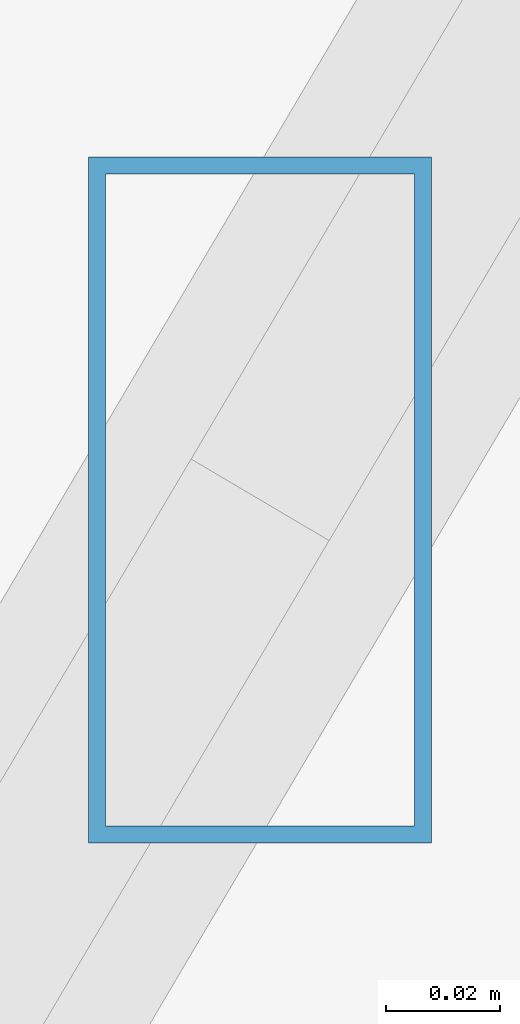
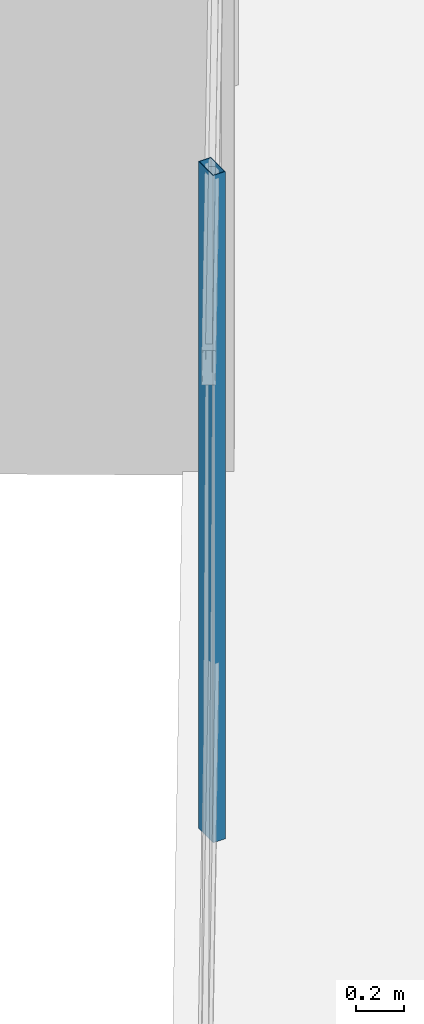
# One storey, part 7 of 45: 1 member, 1 element without a shape of its own.
"""IFC4 building model written with IfcOpenShell, lengths in metres."""

from ifc_helpers import new_model, si_unit, direction, frame, origin, origin_2d, place, context, subcontext, project, spatial, hollow_rectangle, extrude, source, transform, mapped, material, material_profile, profile_set, type_object, type_shapes, element, aggregate, save


model = new_model("IFC4")

# Units and contexts
model_context = context("Model", 3, precision=1e-05, world=origin(), true_north=direction((0.0, 1.0)))
body_context = subcontext(model_context, "Body", "Model", "MODEL_VIEW")
ifc_project = project(units=[si_unit("LENGTHUNIT", "METRE"), si_unit("AREAUNIT", "SQUARE_METRE"), si_unit("VOLUMEUNIT", "CUBIC_METRE"), si_unit("PLANEANGLEUNIT", "RADIAN"), si_unit("MASSUNIT", "GRAM", prefix="KILO")], contexts=[model_context])

# Site, building, storey
site_placement = place(None, origin())
site = spatial("IfcSite", under=ifc_project, at=site_placement, CompositionType="ELEMENT")
building_placement = place(site_placement, origin())
building = spatial("IfcBuilding", under=site, at=building_placement, Name="Caelisora Broadcast Tower", CompositionType="ELEMENT")
storey_placement = place(building_placement, frame((0.0, 0.0, 273.64990234375)))
storey = spatial("IfcBuildingStorey", under=building, at=storey_placement, Name="L72", CompositionType="ELEMENT", Elevation=273.64990234375)

# Curtain wall, member
ifc_material_1 = material(Name="Unitised Aluminium and Low-E Glass Curtain Wall", Category="glass")
curtain_wall_type = type_object("IfcCurtainWallType", Name="CW-Z5", PredefinedType="NOTDEFINED", material=ifc_material_1)
curtain_wall_placement = place(storey_placement, origin())
curtain_wall = element("IfcCurtainWall", 1, at=curtain_wall_placement, inside=storey, type_object=curtain_wall_type, Name="L72 curtain wall CW-Z5", PredefinedType="NOTDEFINED")
ifc_material_2 = material(Name="Aluminium 6063-T6 Anodised Terracotta Bronze", Category="aluminium")
ifc_material_profile = material_profile(ifc_material_2, hollow_rectangle(XDim=0.06005859375, YDim=0.1201171875, WallThickness=0.0029296875, at=origin_2d()), Name="Aluminium 6063-T6 Anodised Terracotta Bronze")
ifc_profile_set = profile_set([ifc_material_profile], Name="Aluminium 6063-T6 Anodised Terracotta Bronze")
member_type = type_object("IfcMemberType", Name="CWM-04", PredefinedType="MULLION", material=ifc_profile_set)
shared_shape = source(origin(), body_context, "Body", "SweptSolid", [
    extrude(hollow_rectangle(XDim=0.06005859375, YDim=0.1201171875, WallThickness=0.0029296875, at=origin_2d()), origin(), (0.0, 0.0, 1.0), 3.400146484375),
])
type_shapes(member_type, [shared_shape])
member_placement = place(storey_placement, frame((15.405517578125, 16.7861328125, 0.0), z_axis=(0.0, 0.0, 1.0), x_axis=(1.0, 0.0, 0.0)))
member = element("IfcMember", 2, at=member_placement, type_object=member_type, Name="L72-CW-B09 mullion #1", PredefinedType="MULLION", context=body_context, shape_type="MappedRepresentation", body=[
    mapped(shared_shape, transform((0.0, 0.0, 0.0), scale=1.0)),
])
aggregate(curtain_wall, [member])

save(model, "model.ifc")
